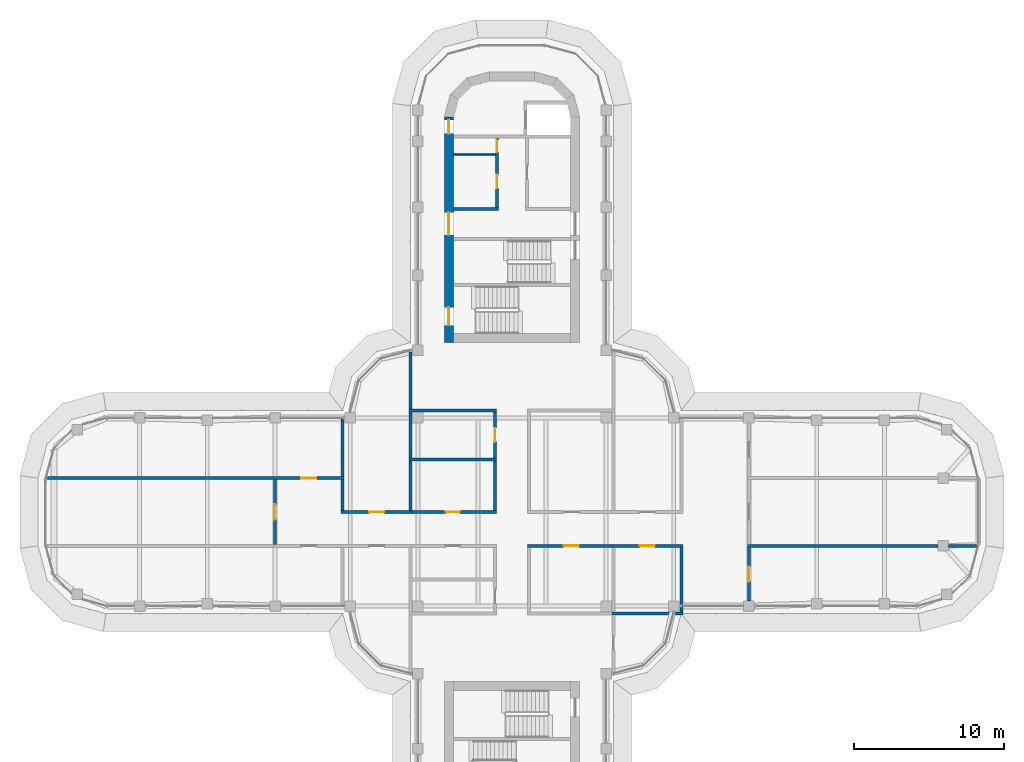
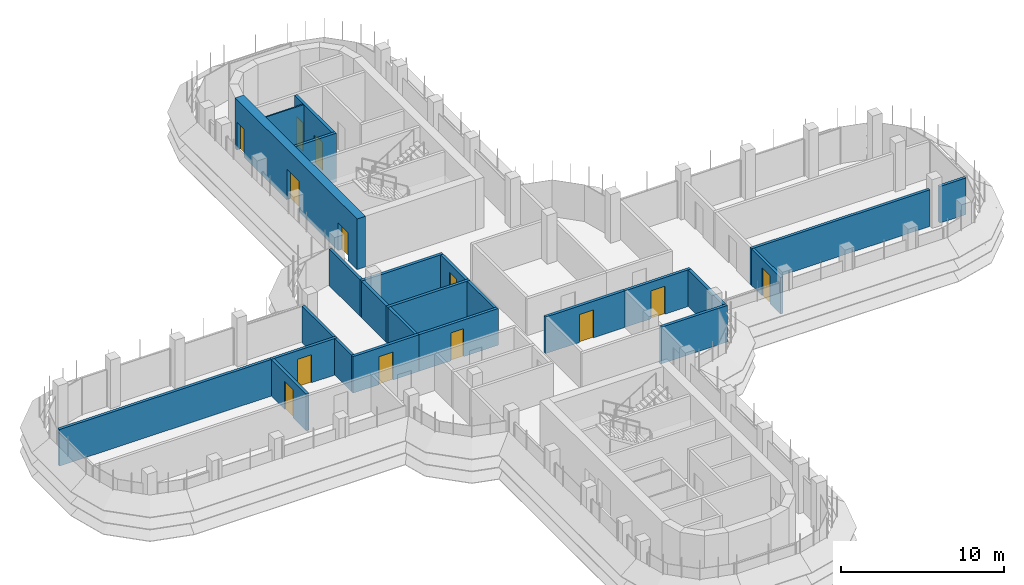
# One storey, part 14 of 19: 25 walls, 13 doors, 13 openings.
"""IFC4 building model written with IfcOpenShell, lengths in metres."""

from ifc_helpers import new_model, si_unit, direction, frame, frame_2d, origin, place, context, subcontext, project, spatial, rectangle, extrude, material, layer, layer_set, type_object, element, fill, save


model = new_model("IFC4")

# Units and contexts
model_context = context("Model", 3, precision=1e-05, world=origin(), true_north=direction((0.0, 1.0)))
body_context = subcontext(model_context, "Body", "Model", "MODEL_VIEW")
ifc_project = project(units=[si_unit("LENGTHUNIT", "METRE"), si_unit("AREAUNIT", "SQUARE_METRE"), si_unit("VOLUMEUNIT", "CUBIC_METRE"), si_unit("PLANEANGLEUNIT", "RADIAN"), si_unit("MASSUNIT", "GRAM", prefix="KILO")], contexts=[model_context])

# Site, building, storey
site_placement = place(None, origin())
site = spatial("IfcSite", under=ifc_project, at=site_placement, CompositionType="ELEMENT")
building_placement = place(site_placement, origin())
building = spatial("IfcBuilding", under=site, at=building_placement, Name="Zarbagh Exchange Tower", CompositionType="ELEMENT")
storey_placement = place(building_placement, frame((0.0, 0.0, 199.199951171875)))
storey = spatial("IfcBuildingStorey", under=building, at=storey_placement, Name="L48", CompositionType="ELEMENT", Elevation=199.199951171875)

# Wall
ifc_material_1 = material(Name="Dense blockwork", Category="masonry")
ifc_layer_1 = layer(ifc_material_1, 0.10009765625)
ifc_layer_set_1 = layer_set([ifc_layer_1], Name="Core partition 100 mm blockwork")
wall_type_1 = type_object("IfcWallType", Name="Core partition 100 mm blockwork", PredefinedType="PARTITIONING", material=ifc_layer_set_1)
wall_1_placement = place(storey_placement, frame((-3.89990234375, 23.75, 0.0), z_axis=(0.0, 0.0, 1.0), x_axis=(1.0, 0.0, 0.0)))
element("IfcWall", 1, at=wall_1_placement, inside=storey, type_object=wall_type_1, Name="North core partition wall CUT-W-460", PredefinedType="PARTITIONING", context=body_context, shape_type="SweptSolid", body=[
    extrude(rectangle(XDim=2.7998046875, YDim=0.10009765625, at=frame_2d((1.39990234375, 0.0))), origin(), (0.0, 0.0, 1.0), 3.650146484375),
])

# Wall, opening, door
ifc_material_2 = material(Name="Fire-rated plasterboard partition")
ifc_layer_2 = layer(ifc_material_2, 0.199951171875)
ifc_layer_set_2 = layer_set([ifc_layer_2], Name="RATED PARTITION 200")
wall_type_2 = type_object("IfcWallType", Name="RATED PARTITION 200", PredefinedType="PARTITIONING", material=ifc_layer_set_2)
wall_2_placement = place(storey_placement, frame((-6.85009765625, 0.0, 0.0), z_axis=(0.0, 0.0, 1.0), x_axis=(1.0, 0.0, 0.0)))
wall_2 = element("IfcWall", 2, at=wall_2_placement, inside=storey, type_object=wall_type_2, Name="Partition W-2103", PredefinedType="PARTITIONING", context=body_context, shape_type="SweptSolid", body=[
    extrude(rectangle(XDim=5.8251953125, YDim=0.199951171875, at=frame_2d((2.91259765625, 0.0))), origin(), (0.0, 0.0, 1.0), 2.75),
])
opening_1_placement = place(wall_2_placement, frame((2.46240234375, 0.0, 0.0)))
opening_1 = element("IfcOpeningElement", 3, at=opening_1_placement, cuts=wall_2, Name="Opening D-2106", PredefinedType="OPENING", context=body_context, shape_type="SweptSolid", body=[
    extrude(rectangle(XDim=0.89990234375, YDim=2.10009765625, at=frame_2d((0.449951171875, 1.050048828125))), frame((0.0, 0.10986328125, 0.0), z_axis=(0.0, -1.0, 0.0), x_axis=(1.0, 0.0, 0.0)), (0.0, 0.0, 1.0), 0.219970703125),
])
ifc_material_3 = material(Name="Timber door leaf", Category="wood")
door_type_1 = type_object("IfcDoorType", Name="DOOR 900 X 2100", OperationType="NOTDEFINED", PredefinedType="DOOR", material=ifc_material_3)
door_1_placement = place(opening_1_placement, origin())
door_1 = element("IfcDoor", 4, at=door_1_placement, inside=storey, type_object=door_type_1, Name="Door D-2106", OperationType="SINGLE_SWING_RIGHT", OverallHeight=2.10009765625, OverallWidth=0.89990234375, PredefinedType="DOOR", context=body_context, shape_type="SweptSolid", body=[
    extrude(rectangle(XDim=0.89990234375, YDim=2.10009765625, at=frame_2d((0.449951171875, 1.050048828125))), frame((0.0, 0.02490234375, 0.0), z_axis=(0.0, -1.0, 0.0), x_axis=(1.0, 0.0, 0.0)), (0.0, 0.0, 1.0), 0.050048828125),
])
fill(opening_1, door_1)

wall_3_placement = place(storey_placement, frame((-11.35009765625, 0.0, 0.0), z_axis=(0.0, 0.0, 1.0), x_axis=(1.0, 0.0, 0.0)))
wall_3 = element("IfcWall", 5, at=wall_3_placement, inside=storey, type_object=wall_type_2, Name="Partition W-2104", PredefinedType="PARTITIONING", context=body_context, shape_type="SweptSolid", body=[
    extrude(rectangle(XDim=4.7001953125, YDim=0.199951171875, at=frame_2d((2.35009765625, 0.0))), origin(), (0.0, 0.0, 1.0), 2.75),
])
opening_2_placement = place(wall_3_placement, frame((1.85009765625, 0.0, 0.0)))
opening_2 = element("IfcOpeningElement", 6, at=opening_2_placement, cuts=wall_3, Name="Opening D-2108", PredefinedType="OPENING", context=body_context, shape_type="SweptSolid", body=[
    extrude(rectangle(XDim=1.0, YDim=2.10009765625, at=frame_2d((0.5, 1.050048828125))), frame((0.0, 0.10986328125, 0.0), z_axis=(0.0, -1.0, 0.0), x_axis=(1.0, 0.0, 0.0)), (0.0, 0.0, 1.0), 0.219970703125),
])
ifc_material_4 = material(Name="Steel door set", Category="steel")
door_type_2 = type_object("IfcDoorType", Name="FIRE DOOR 1000 X 2100 FD30S", OperationType="NOTDEFINED", PredefinedType="DOOR", material=ifc_material_4)
door_2_placement = place(opening_2_placement, origin())
door_2 = element("IfcDoor", 7, at=door_2_placement, inside=storey, type_object=door_type_2, Name="Door D-2108", OperationType="SINGLE_SWING_RIGHT", OverallHeight=2.10009765625, OverallWidth=1.0, PredefinedType="DOOR", context=body_context, shape_type="SweptSolid", body=[
    extrude(rectangle(XDim=1.0, YDim=2.10009765625, at=frame_2d((0.5, 1.050048828125))), frame((0.0, 0.02490234375, 0.0), z_axis=(0.0, -1.0, 0.0), x_axis=(1.0, 0.0, 0.0)), (0.0, 0.0, 1.0), 0.050048828125),
])
fill(opening_2, door_2)

wall_4_placement = place(storey_placement, frame((6.85009765625, -2.25, 0.0), z_axis=(0.0, 0.0, 1.0), x_axis=(-1.0, 0.0, 0.0)))
wall_4 = element("IfcWall", 8, at=wall_4_placement, inside=storey, type_object=wall_type_2, Name="Partition W-2105", PredefinedType="PARTITIONING", context=body_context, shape_type="SweptSolid", body=[
    extrude(rectangle(XDim=5.8251953125, YDim=0.199951171875, at=frame_2d((2.91259765625, 0.0))), origin(), (0.0, 0.0, 1.0), 2.75),
])
opening_3_placement = place(wall_4_placement, frame((2.41259765625, 0.0, 0.0)))
opening_3 = element("IfcOpeningElement", 9, at=opening_3_placement, cuts=wall_4, Name="Opening D-2109", PredefinedType="OPENING", context=body_context, shape_type="SweptSolid", body=[
    extrude(rectangle(XDim=1.0, YDim=2.10009765625, at=frame_2d((0.5, 1.050048828125))), frame((0.0, 0.10986328125, 0.0), z_axis=(0.0, -1.0, 0.0), x_axis=(1.0, 0.0, 0.0)), (0.0, 0.0, 1.0), 0.219970703125),
])
door_3_placement = place(opening_3_placement, origin())
door_3 = element("IfcDoor", 10, at=door_3_placement, inside=storey, type_object=door_type_2, Name="Door D-2109", OperationType="SINGLE_SWING_RIGHT", OverallHeight=2.10009765625, OverallWidth=1.0, PredefinedType="DOOR", context=body_context, shape_type="SweptSolid", body=[
    extrude(rectangle(XDim=1.0, YDim=2.10009765625, at=frame_2d((0.5, 1.050048828125))), frame((0.0, 0.02490234375, 0.0), z_axis=(0.0, -1.0, 0.0), x_axis=(1.0, 0.0, 0.0)), (0.0, 0.0, 1.0), 0.050048828125),
])
fill(opening_3, door_3)

wall_5_placement = place(storey_placement, frame((11.35009765625, -2.25, 0.0), z_axis=(0.0, 0.0, 1.0), x_axis=(-1.0, 0.0, 0.0)))
wall_5 = element("IfcWall", 11, at=wall_5_placement, inside=storey, type_object=wall_type_2, Name="Partition W-2106", PredefinedType="PARTITIONING", context=body_context, shape_type="SweptSolid", body=[
    extrude(rectangle(XDim=4.7001953125, YDim=0.199951171875, at=frame_2d((2.35009765625, 0.0))), origin(), (0.0, 0.0, 1.0), 2.75),
])
opening_4_placement = place(wall_5_placement, frame((1.85009765625, 0.0, 0.0)))
opening_4 = element("IfcOpeningElement", 12, at=opening_4_placement, cuts=wall_5, Name="Opening D-2110", PredefinedType="OPENING", context=body_context, shape_type="SweptSolid", body=[
    extrude(rectangle(XDim=1.0, YDim=2.10009765625, at=frame_2d((0.5, 1.050048828125))), frame((0.0, 0.10986328125, 0.0), z_axis=(0.0, -1.0, 0.0), x_axis=(1.0, 0.0, 0.0)), (0.0, 0.0, 1.0), 0.219970703125),
])
door_4_placement = place(opening_4_placement, origin())
door_4 = element("IfcDoor", 13, at=door_4_placement, inside=storey, type_object=door_type_2, Name="Door D-2110", OperationType="SINGLE_SWING_RIGHT", OverallHeight=2.10009765625, OverallWidth=1.0, PredefinedType="DOOR", context=body_context, shape_type="SweptSolid", body=[
    extrude(rectangle(XDim=1.0, YDim=2.10009765625, at=frame_2d((0.5, 1.050048828125))), frame((0.0, 0.02490234375, 0.0), z_axis=(0.0, -1.0, 0.0), x_axis=(1.0, 0.0, 0.0)), (0.0, 0.0, 1.0), 0.050048828125),
])
fill(opening_4, door_4)

# Wall
wall_6_placement = place(storey_placement, frame((-1.125, 0.10009765625, 0.0), z_axis=(0.0, 0.0, 1.0), x_axis=(0.0, 1.0, 0.0)))
element("IfcWall", 14, at=wall_6_placement, inside=storey, type_object=wall_type_2, Name="Partition W-2110", PredefinedType="PARTITIONING", context=body_context, shape_type="SweptSolid", body=[
    extrude(rectangle(XDim=3.2998046875, YDim=0.199951171875, at=frame_2d((1.64990234375, 0.0))), origin(), (0.0, 0.0, 1.0), 2.75),
])

# Wall, opening, door
wall_7_placement = place(storey_placement, frame((-1.125, 3.60009765625, 0.0), z_axis=(0.0, 0.0, 1.0), x_axis=(0.0, 1.0, 0.0)))
wall_7 = element("IfcWall", 15, at=wall_7_placement, inside=storey, type_object=wall_type_2, Name="Partition W-2111", PredefinedType="PARTITIONING", context=body_context, shape_type="SweptSolid", body=[
    extrude(rectangle(XDim=3.0498046875, YDim=0.199951171875, at=frame_2d((1.52490234375, 0.0))), origin(), (0.0, 0.0, 1.0), 2.75),
])
opening_5_placement = place(wall_7_placement, frame((1.074951171875, 0.0, 0.0)))
opening_5 = element("IfcOpeningElement", 16, at=opening_5_placement, cuts=wall_7, Name="Opening D-2107", PredefinedType="OPENING", context=body_context, shape_type="SweptSolid", body=[
    extrude(rectangle(XDim=0.89990234375, YDim=2.10009765625, at=frame_2d((0.449951171875, 1.050048828125))), frame((0.0, 0.10986328125, 0.0), z_axis=(0.0, -1.0, 0.0), x_axis=(1.0, 0.0, 0.0)), (0.0, 0.0, 1.0), 0.219970703125),
])
door_5_placement = place(opening_5_placement, origin())
door_5 = element("IfcDoor", 17, at=door_5_placement, inside=storey, type_object=door_type_1, Name="Door D-2107", OperationType="SINGLE_SWING_LEFT", OverallHeight=2.10009765625, OverallWidth=0.89990234375, PredefinedType="DOOR", context=body_context, shape_type="SweptSolid", body=[
    extrude(rectangle(XDim=0.89990234375, YDim=2.10009765625, at=frame_2d((0.449951171875, 1.050048828125))), frame((0.0, 0.02490234375, 0.0), z_axis=(0.0, -1.0, 0.0), x_axis=(1.0, 0.0, 0.0)), (0.0, 0.0, 1.0), 0.050048828125),
])
fill(opening_5, door_5)

# Walls
wall_8_placement = place(storey_placement, frame((-6.85009765625, 6.75, 0.0), z_axis=(0.0, 0.0, 1.0), x_axis=(1.0, 0.0, 0.0)))
element("IfcWall", 18, at=wall_8_placement, inside=storey, type_object=wall_type_2, Name="Partition W-2117", PredefinedType="PARTITIONING", context=body_context, shape_type="SweptSolid", body=[
    extrude(rectangle(XDim=5.8251953125, YDim=0.199951171875, at=frame_2d((2.91259765625, 0.0))), origin(), (0.0, 0.0, 1.0), 2.75),
])
wall_9_placement = place(storey_placement, frame((-6.75, 6.85009765625, 0.0), z_axis=(0.0, 0.0, 1.0), x_axis=(0.0, 1.0, 0.0)))
element("IfcWall", 19, at=wall_9_placement, inside=storey, type_object=wall_type_2, Name="Partition W-2118", PredefinedType="PARTITIONING", context=body_context, shape_type="SweptSolid", body=[
    extrude(rectangle(XDim=3.77978515625, YDim=0.199951171875, at=frame_2d((1.889892578125, 0.0))), origin(), (0.0, 0.0, 1.0), 2.75),
])
wall_10_placement = place(storey_placement, frame((-6.85009765625, 3.5, 0.0), z_axis=(0.0, 0.0, 1.0), x_axis=(1.0, 0.0, 0.0)))
element("IfcWall", 20, at=wall_10_placement, inside=storey, type_object=wall_type_2, Name="Partition W-2125", PredefinedType="PARTITIONING", context=body_context, shape_type="SweptSolid", body=[
    extrude(rectangle(XDim=5.8251953125, YDim=0.199951171875, at=frame_2d((2.91259765625, 0.0))), origin(), (0.0, 0.0, 1.0), 2.75),
])
wall_11_placement = place(storey_placement, frame((-6.75, 0.10009765625, 0.0), z_axis=(0.0, 0.0, 1.0), x_axis=(0.0, 1.0, 0.0)))
element("IfcWall", 21, at=wall_11_placement, inside=storey, type_object=wall_type_2, Name="Partition W-2126", PredefinedType="PARTITIONING", context=body_context, shape_type="SweptSolid", body=[
    extrude(rectangle(XDim=3.2998046875, YDim=0.199951171875, at=frame_2d((1.64990234375, 0.0))), origin(), (0.0, 0.0, 1.0), 2.75),
])
wall_12_placement = place(storey_placement, frame((-6.75, 3.60009765625, 0.0), z_axis=(0.0, 0.0, 1.0), x_axis=(0.0, 1.0, 0.0)))
element("IfcWall", 22, at=wall_12_placement, inside=storey, type_object=wall_type_2, Name="Partition W-2127", PredefinedType="PARTITIONING", context=body_context, shape_type="SweptSolid", body=[
    extrude(rectangle(XDim=3.0498046875, YDim=0.199951171875, at=frame_2d((1.52490234375, 0.0))), origin(), (0.0, 0.0, 1.0), 2.75),
])
wall_13_placement = place(storey_placement, frame((-11.25, 0.10009765625, 0.0), z_axis=(0.0, 0.0, 1.0), x_axis=(0.0, 1.0, 0.0)))
element("IfcWall", 23, at=wall_13_placement, inside=storey, type_object=wall_type_2, Name="Partition W-2128", PredefinedType="PARTITIONING", context=body_context, shape_type="SweptSolid", body=[
    extrude(rectangle(XDim=2.0498046875, YDim=0.199951171875, at=frame_2d((1.02490234375, 0.0))), origin(), (0.0, 0.0, 1.0), 2.75),
])
wall_14_placement = place(storey_placement, frame((-11.25, 2.35009765625, 0.0), z_axis=(0.0, 0.0, 1.0), x_axis=(0.0, 1.0, 0.0)))
element("IfcWall", 24, at=wall_14_placement, inside=storey, type_object=wall_type_2, Name="Partition W-2129", PredefinedType="PARTITIONING", context=body_context, shape_type="SweptSolid", body=[
    extrude(rectangle(XDim=3.81982421875, YDim=0.199951171875, at=frame_2d((1.909912109375, 0.0))), origin(), (0.0, 0.0, 1.0), 2.75),
])
wall_15_placement = place(storey_placement, frame((6.64990234375, -6.75, 0.0), z_axis=(0.0, 0.0, 1.0), x_axis=(1.0, 0.0, 0.0)))
element("IfcWall", 25, at=wall_15_placement, inside=storey, type_object=wall_type_2, Name="Partition W-2131", PredefinedType="PARTITIONING", context=body_context, shape_type="SweptSolid", body=[
    extrude(rectangle(XDim=4.7001953125, YDim=0.199951171875, at=frame_2d((2.35009765625, 0.0))), origin(), (0.0, 0.0, 1.0), 2.75),
])
wall_16_placement = place(storey_placement, frame((11.25, -6.64990234375, 0.0), z_axis=(0.0, 0.0, 1.0), x_axis=(0.0, 1.0, 0.0)))
element("IfcWall", 26, at=wall_16_placement, inside=storey, type_object=wall_type_2, Name="Partition W-2132", PredefinedType="PARTITIONING", context=body_context, shape_type="SweptSolid", body=[
    extrude(rectangle(XDim=4.2998046875, YDim=0.199951171875, at=frame_2d((2.14990234375, 0.0))), origin(), (0.0, 0.0, 1.0), 2.75),
])

# Wall, opening, door
wall_17_placement = place(storey_placement, frame((15.75, -2.35009765625, 0.0), z_axis=(0.0, 0.0, 1.0), x_axis=(0.0, -1.0, 0.0)))
wall_17 = element("IfcWall", 27, at=wall_17_placement, inside=storey, type_object=wall_type_2, Name="Partition W-2137", PredefinedType="PARTITIONING", context=body_context, shape_type="SweptSolid", body=[
    extrude(rectangle(XDim=3.5498046875, YDim=0.199951171875, at=frame_2d((1.77490234375, 0.0))), origin(), (0.0, 0.0, 1.0), 2.75),
])
opening_6_placement = place(wall_17_placement, frame((1.27490234375, 0.0, 0.0)))
opening_6 = element("IfcOpeningElement", 28, at=opening_6_placement, cuts=wall_17, Name="Opening D-2101", PredefinedType="OPENING", context=body_context, shape_type="SweptSolid", body=[
    extrude(rectangle(XDim=1.0, YDim=2.10009765625, at=frame_2d((0.5, 1.050048828125))), frame((0.0, 0.10986328125, 0.0), z_axis=(0.0, -1.0, 0.0), x_axis=(1.0, 0.0, 0.0)), (0.0, 0.0, 1.0), 0.219970703125),
])
door_6_placement = place(opening_6_placement, origin())
door_6 = element("IfcDoor", 29, at=door_6_placement, inside=storey, type_object=door_type_2, Name="Door D-2101", OperationType="SINGLE_SWING_LEFT", OverallHeight=2.10009765625, OverallWidth=1.0, PredefinedType="DOOR", context=body_context, shape_type="SweptSolid", body=[
    extrude(rectangle(XDim=1.0, YDim=2.10009765625, at=frame_2d((0.5, 1.050048828125))), frame((0.0, 0.02490234375, 0.0), z_axis=(0.0, -1.0, 0.0), x_axis=(1.0, 0.0, 0.0)), (0.0, 0.0, 1.0), 0.050048828125),
])
fill(opening_6, door_6)

# Walls
wall_18_placement = place(storey_placement, frame((15.64990234375, -2.25, 0.0), z_axis=(0.0, 0.0, 1.0), x_axis=(1.0, 0.0, 0.0)))
element("IfcWall", 30, at=wall_18_placement, inside=storey, type_object=wall_type_2, Name="Partition W-2140", PredefinedType="PARTITIONING", context=body_context, shape_type="SweptSolid", body=[
    extrude(rectangle(XDim=12.670166015625, YDim=0.199951171875, at=frame_2d((6.3349609375, 0.0))), origin(), (0.0, 0.0, 1.0), 2.75),
])
wall_19_placement = place(storey_placement, frame((29.02001953125, -2.25, 0.0), z_axis=(0.0, 0.0, 1.0), x_axis=(1.0, 0.0, 0.0)))
element("IfcWall", 31, at=wall_19_placement, inside=storey, type_object=wall_type_2, Name="Partition W-2141", PredefinedType="PARTITIONING", context=body_context, shape_type="SweptSolid", body=[
    extrude(rectangle(XDim=1.85986328125, YDim=0.199951171875, at=frame_2d((0.929931640625, 0.0))), origin(), (0.0, 0.0, 1.0), 2.75),
])

# Wall, opening, door
wall_20_placement = place(storey_placement, frame((-15.85009765625, 2.25, 0.0), z_axis=(0.0, 0.0, 1.0), x_axis=(1.0, 0.0, 0.0)))
wall_20 = element("IfcWall", 32, at=wall_20_placement, inside=storey, type_object=wall_type_2, Name="Partition W-2144", PredefinedType="PARTITIONING", context=body_context, shape_type="SweptSolid", body=[
    extrude(rectangle(XDim=4.7001953125, YDim=0.199951171875, at=frame_2d((2.35009765625, 0.0))), origin(), (0.0, 0.0, 1.0), 2.75),
])
opening_7_placement = place(wall_20_placement, frame((1.85009765625, 0.0, 0.0)))
opening_7 = element("IfcOpeningElement", 33, at=opening_7_placement, cuts=wall_20, Name="Opening D-2116", PredefinedType="OPENING", context=body_context, shape_type="SweptSolid", body=[
    extrude(rectangle(XDim=1.0, YDim=2.10009765625, at=frame_2d((0.5, 1.050048828125))), frame((0.0, 0.10986328125, 0.0), z_axis=(0.0, -1.0, 0.0), x_axis=(1.0, 0.0, 0.0)), (0.0, 0.0, 1.0), 0.219970703125),
])
door_7_placement = place(opening_7_placement, origin())
door_7 = element("IfcDoor", 34, at=door_7_placement, inside=storey, type_object=door_type_2, Name="Door D-2116", OperationType="SINGLE_SWING_RIGHT", OverallHeight=2.10009765625, OverallWidth=1.0, PredefinedType="DOOR", context=body_context, shape_type="SweptSolid", body=[
    extrude(rectangle(XDim=1.0, YDim=2.10009765625, at=frame_2d((0.5, 1.050048828125))), frame((0.0, 0.02490234375, 0.0), z_axis=(0.0, -1.0, 0.0), x_axis=(1.0, 0.0, 0.0)), (0.0, 0.0, 1.0), 0.050048828125),
])
fill(opening_7, door_7)

wall_21_placement = place(storey_placement, frame((-15.75, -2.14990234375, 0.0), z_axis=(0.0, 0.0, 1.0), x_axis=(0.0, 1.0, 0.0)))
wall_21 = element("IfcWall", 35, at=wall_21_placement, inside=storey, type_object=wall_type_2, Name="Partition W-2146", PredefinedType="PARTITIONING", context=body_context, shape_type="SweptSolid", body=[
    extrude(rectangle(XDim=4.2998046875, YDim=0.199951171875, at=frame_2d((2.14990234375, 0.0))), origin(), (0.0, 0.0, 1.0), 2.75),
])
opening_8_placement = place(wall_21_placement, frame((1.64990234375, 0.0, 0.0)))
opening_8 = element("IfcOpeningElement", 36, at=opening_8_placement, cuts=wall_21, Name="Opening D-2115", PredefinedType="OPENING", context=body_context, shape_type="SweptSolid", body=[
    extrude(rectangle(XDim=1.0, YDim=2.10009765625, at=frame_2d((0.5, 1.050048828125))), frame((0.0, 0.10986328125, 0.0), z_axis=(0.0, -1.0, 0.0), x_axis=(1.0, 0.0, 0.0)), (0.0, 0.0, 1.0), 0.219970703125),
])
door_8_placement = place(opening_8_placement, origin())
door_8 = element("IfcDoor", 37, at=door_8_placement, inside=storey, type_object=door_type_2, Name="Door D-2115", OperationType="SINGLE_SWING_RIGHT", OverallHeight=2.10009765625, OverallWidth=1.0, PredefinedType="DOOR", context=body_context, shape_type="SweptSolid", body=[
    extrude(rectangle(XDim=1.0, YDim=2.10009765625, at=frame_2d((0.5, 1.050048828125))), frame((0.0, 0.02490234375, 0.0), z_axis=(0.0, -1.0, 0.0), x_axis=(1.0, 0.0, 0.0)), (0.0, 0.0, 1.0), 0.050048828125),
])
fill(opening_8, door_8)

# Wall
wall_22_placement = place(storey_placement, frame((-30.8798828125, 2.25, 0.0), z_axis=(0.0, 0.0, 1.0), x_axis=(1.0, 0.0, 0.0)))
element("IfcWall", 38, at=wall_22_placement, inside=storey, type_object=wall_type_2, Name="Partition W-2147", PredefinedType="PARTITIONING", context=body_context, shape_type="SweptSolid", body=[
    extrude(rectangle(XDim=15.22998046875, YDim=0.199951171875, at=frame_2d((7.614990234375, 0.0))), origin(), (0.0, 0.0, 1.0), 2.75),
])

# Wall, openings, doors
ifc_material_5 = material(Name="Concrete C50/60", Category="concrete")
ifc_layer_3 = layer(ifc_material_5, 0.60009765625)
ifc_layer_set_3 = layer_set([ifc_layer_3], Name="RC core wall 600 C50/60")
wall_type_3 = type_object("IfcWallType", Name="RC core wall 600 C50/60", PredefinedType="SHEAR", material=ifc_layer_set_3)
wall_23_placement = place(storey_placement, frame((-4.199951171875, 11.25, 0.0), z_axis=(0.0, 0.0, 1.0), x_axis=(0.0, 1.0, 0.0)))
wall_23 = element("IfcWall", 39, at=wall_23_placement, inside=storey, type_object=wall_type_3, Name="CW7 core N W", PredefinedType="SHEAR", context=body_context, shape_type="SweptSolid", body=[
    extrude(rectangle(XDim=15.0, YDim=0.60009765625, at=frame_2d((7.5, 0.0))), origin(), (0.0, 0.0, 1.0), 3.800048828125),
])
opening_9_placement = place(wall_23_placement, frame((7.14990234375, 0.0, 0.0)))
opening_9 = element("IfcOpeningElement", 40, at=opening_9_placement, cuts=wall_23, Name="Opening CD1-1500", PredefinedType="OPENING", context=body_context, shape_type="SweptSolid", body=[
    extrude(rectangle(XDim=1.5, YDim=2.300048828125, at=frame_2d((0.75, 1.14990234375))), frame((0.0, 0.31005859375, 0.0), z_axis=(0.0, -1.0, 0.0), x_axis=(1.0, 0.0, 0.0)), (0.0, 0.0, 1.0), 0.6201171875),
])
opening_10_placement = place(wall_23_placement, frame((13.89990234375, 0.0, 0.0)))
opening_10 = element("IfcOpeningElement", 41, at=opening_10_placement, cuts=wall_23, Name="Opening CD2-900", PredefinedType="OPENING", context=body_context, shape_type="SweptSolid", body=[
    extrude(rectangle(XDim=0.89990234375, YDim=2.10009765625, at=frame_2d((0.449951171875, 1.050048828125))), frame((0.0, 0.31005859375, 0.0), z_axis=(0.0, -1.0, 0.0), x_axis=(1.0, 0.0, 0.0)), (0.0, 0.0, 1.0), 0.6201171875),
])
opening_11_placement = place(wall_23_placement, frame((1.14990234375, 0.0, 0.0)))
opening_11 = element("IfcOpeningElement", 42, at=opening_11_placement, cuts=wall_23, Name="Opening SD1-1200", PredefinedType="OPENING", context=body_context, shape_type="SweptSolid", body=[
    extrude(rectangle(XDim=1.199951171875, YDim=2.10009765625, at=frame_2d((0.60009765625, 1.050048828125))), frame((0.0, 0.31005859375, 0.0), z_axis=(0.0, -1.0, 0.0), x_axis=(1.0, 0.0, 0.0)), (0.0, 0.0, 1.0), 0.6201171875),
])
ifc_material_6 = material(Name="Steel", Category="steel")
door_type_3 = type_object("IfcDoorType", Name="Exit stair door 1200 x 2100", OperationType="NOTDEFINED", PredefinedType="DOOR", material=ifc_material_6)
door_9_placement = place(opening_11_placement, origin())
door_9 = element("IfcDoor", 43, at=door_9_placement, inside=storey, type_object=door_type_3, Name="North core stair door ST2", OperationType="SINGLE_SWING_LEFT", OverallHeight=2.10009765625, OverallWidth=1.199951171875, PredefinedType="DOOR", context=body_context, shape_type="SweptSolid", body=[
    extrude(rectangle(XDim=1.199951171875, YDim=2.10009765625, at=frame_2d((0.60009765625, 1.050048828125))), frame((0.0, 0.02490234375, 0.0), z_axis=(0.0, -1.0, 0.0), x_axis=(1.0, 0.0, 0.0)), (0.0, 0.0, 1.0), 0.050048828125),
])
fill(opening_11, door_9)
door_type_4 = type_object("IfcDoorType", Name="Firefighting lobby door 900 x 2100", OperationType="NOTDEFINED", PredefinedType="DOOR", material=ifc_material_6)
door_10_placement = place(opening_10_placement, origin())
door_10 = element("IfcDoor", 44, at=door_10_placement, inside=storey, type_object=door_type_4, Name="North core firefighting lobby door FF-W", OperationType="SINGLE_SWING_LEFT", OverallHeight=2.10009765625, OverallWidth=0.89990234375, PredefinedType="DOOR", context=body_context, shape_type="SweptSolid", body=[
    extrude(rectangle(XDim=0.89990234375, YDim=2.10009765625, at=frame_2d((0.449951171875, 1.050048828125))), frame((0.0, 0.02490234375, 0.0), z_axis=(0.0, -1.0, 0.0), x_axis=(1.0, 0.0, 0.0)), (0.0, 0.0, 1.0), 0.050048828125),
])
fill(opening_10, door_10)
door_type_5 = type_object("IfcDoorType", Name="Lift lobby double door 1500 x 2300", OperationType="NOTDEFINED", PredefinedType="DOOR", material=ifc_material_6)
door_11_placement = place(opening_9_placement, origin())
door_11 = element("IfcDoor", 45, at=door_11_placement, inside=storey, type_object=door_type_5, Name="North core lift lobby door LOBBY-W", OperationType="DOUBLE_DOOR_SINGLE_SWING", OverallHeight=2.300048828125, OverallWidth=1.5, PredefinedType="DOOR", context=body_context, shape_type="SweptSolid", body=[
    extrude(rectangle(XDim=1.5, YDim=2.300048828125, at=frame_2d((0.75, 1.14990234375))), frame((0.0, 0.02490234375, 0.0), z_axis=(0.0, -1.0, 0.0), x_axis=(1.0, 0.0, 0.0)), (0.0, 0.0, 1.0), 0.050048828125),
])
fill(opening_9, door_11)

# Wall
ifc_layer_4 = layer(ifc_material_1, 0.199951171875)
ifc_layer_set_4 = layer_set([ifc_layer_4], Name="Shaft wall 200 mm blockwork")
wall_type_4 = type_object("IfcWallType", Name="Shaft wall 200 mm blockwork", PredefinedType="PARTITIONING", material=ifc_layer_set_4)
wall_24_placement = place(storey_placement, frame((-3.89990234375, 20.14990234375, 0.0), z_axis=(0.0, 0.0, 1.0), x_axis=(1.0, 0.0, 0.0)))
element("IfcWall", 46, at=wall_24_placement, inside=storey, type_object=wall_type_4, Name="North core shaft wall AB-W", PredefinedType="PARTITIONING", context=body_context, shape_type="SweptSolid", body=[
    extrude(rectangle(XDim=3.0, YDim=0.199951171875, at=frame_2d((1.5, 0.0))), origin(), (0.0, 0.0, 1.0), 3.650146484375),
])

# Wall, openings, doors
wall_25_placement = place(storey_placement, frame((-1.0, 24.85009765625, 0.0), z_axis=(0.0, 0.0, 1.0), x_axis=(0.0, -1.0, 0.0)))
wall_25 = element("IfcWall", 47, at=wall_25_placement, inside=storey, type_object=wall_type_4, Name="North core shaft wall LW-W", PredefinedType="PARTITIONING", context=body_context, shape_type="SweptSolid", body=[
    extrude(rectangle(XDim=4.60009765625, YDim=0.199951171875, at=frame_2d((2.300048828125, 0.0))), origin(), (0.0, 0.0, 1.0), 3.650146484375),
])
opening_12_placement = place(wall_25_placement, frame((0.125, 0.0, 0.0)))
opening_12 = element("IfcOpeningElement", 48, at=opening_12_placement, cuts=wall_25, Name="Opening CD3-800", PredefinedType="OPENING", context=body_context, shape_type="SweptSolid", body=[
    extrude(rectangle(XDim=0.800048828125, YDim=2.10009765625, at=frame_2d((0.39990234375, 1.050048828125))), frame((0.0, 0.10986328125, 0.0), z_axis=(0.0, -1.0, 0.0), x_axis=(1.0, 0.0, 0.0)), (0.0, 0.0, 1.0), 0.219970703125),
])
opening_13_placement = place(wall_25_placement, frame((2.425048828125, 0.0, 0.0)))
opening_13 = element("IfcOpeningElement", 49, at=opening_13_placement, cuts=wall_25, Name="Opening CD3-900", PredefinedType="OPENING", context=body_context, shape_type="SweptSolid", body=[
    extrude(rectangle(XDim=0.89990234375, YDim=2.10009765625, at=frame_2d((0.449951171875, 1.050048828125))), frame((0.0, 0.10986328125, 0.0), z_axis=(0.0, -1.0, 0.0), x_axis=(1.0, 0.0, 0.0)), (0.0, 0.0, 1.0), 0.219970703125),
])
door_type_6 = type_object("IfcDoorType", Name="Core room door 800 x 2100", OperationType="NOTDEFINED", PredefinedType="DOOR", material=ifc_material_6)
door_12_placement = place(opening_12_placement, origin())
door_12 = element("IfcDoor", 50, at=door_12_placement, inside=storey, type_object=door_type_6, Name="North core Store door RD-W-0", OperationType="SINGLE_SWING_RIGHT", OverallHeight=2.10009765625, OverallWidth=0.800048828125, PredefinedType="DOOR", context=body_context, shape_type="SweptSolid", body=[
    extrude(rectangle(XDim=0.800048828125, YDim=2.10009765625, at=frame_2d((0.39990234375, 1.050048828125))), frame((0.0, 0.02490234375, 0.0), z_axis=(0.0, -1.0, 0.0), x_axis=(1.0, 0.0, 0.0)), (0.0, 0.0, 1.0), 0.050048828125),
])
fill(opening_12, door_12)
door_type_7 = type_object("IfcDoorType", Name="Core room door 900 x 2100", OperationType="NOTDEFINED", PredefinedType="DOOR", material=ifc_material_6)
door_13_placement = place(opening_13_placement, origin())
door_13 = element("IfcDoor", 51, at=door_13_placement, inside=storey, type_object=door_type_7, Name="North core Accessible WC door RD-W-1", OperationType="SINGLE_SWING_LEFT", OverallHeight=2.10009765625, OverallWidth=0.89990234375, PredefinedType="DOOR", context=body_context, shape_type="SweptSolid", body=[
    extrude(rectangle(XDim=0.89990234375, YDim=2.10009765625, at=frame_2d((0.449951171875, 1.050048828125))), frame((0.0, 0.02490234375, 0.0), z_axis=(0.0, -1.0, 0.0), x_axis=(1.0, 0.0, 0.0)), (0.0, 0.0, 1.0), 0.050048828125),
])
fill(opening_13, door_13)

save(model, "model.ifc")
